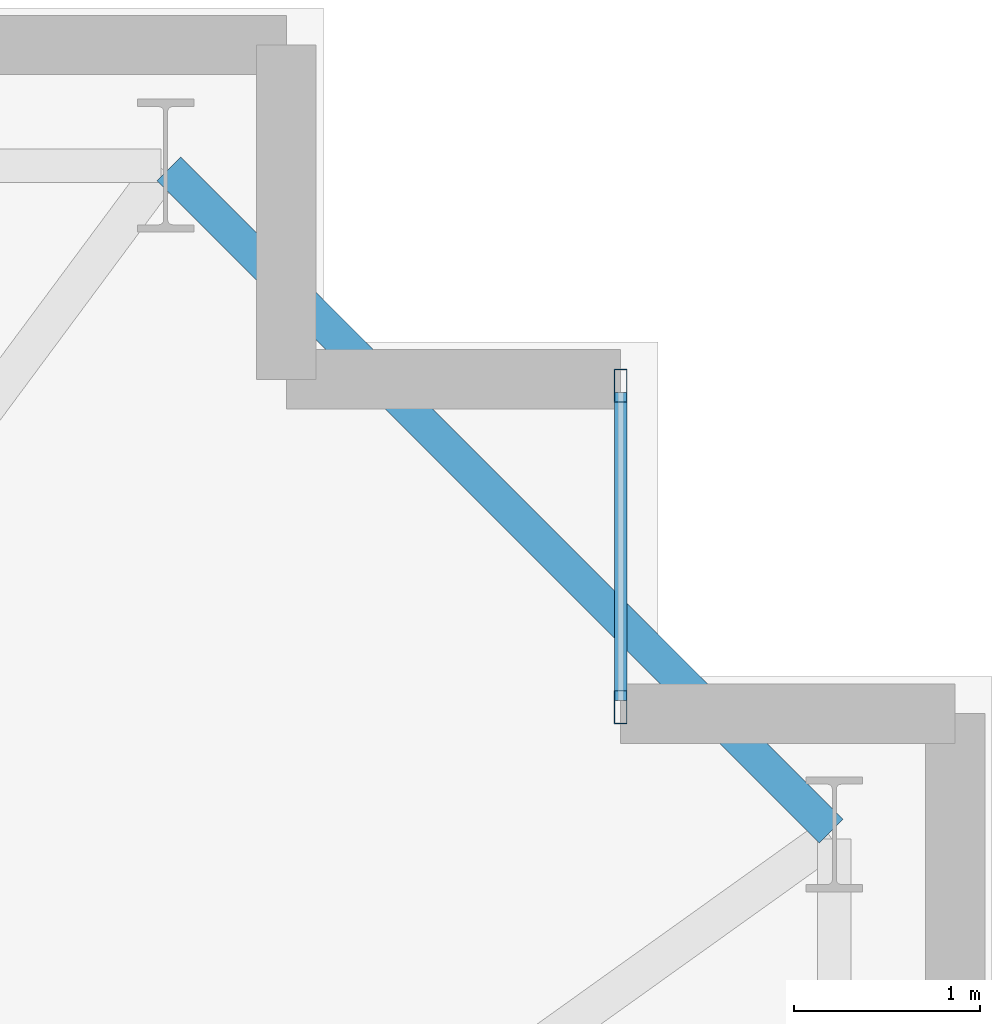
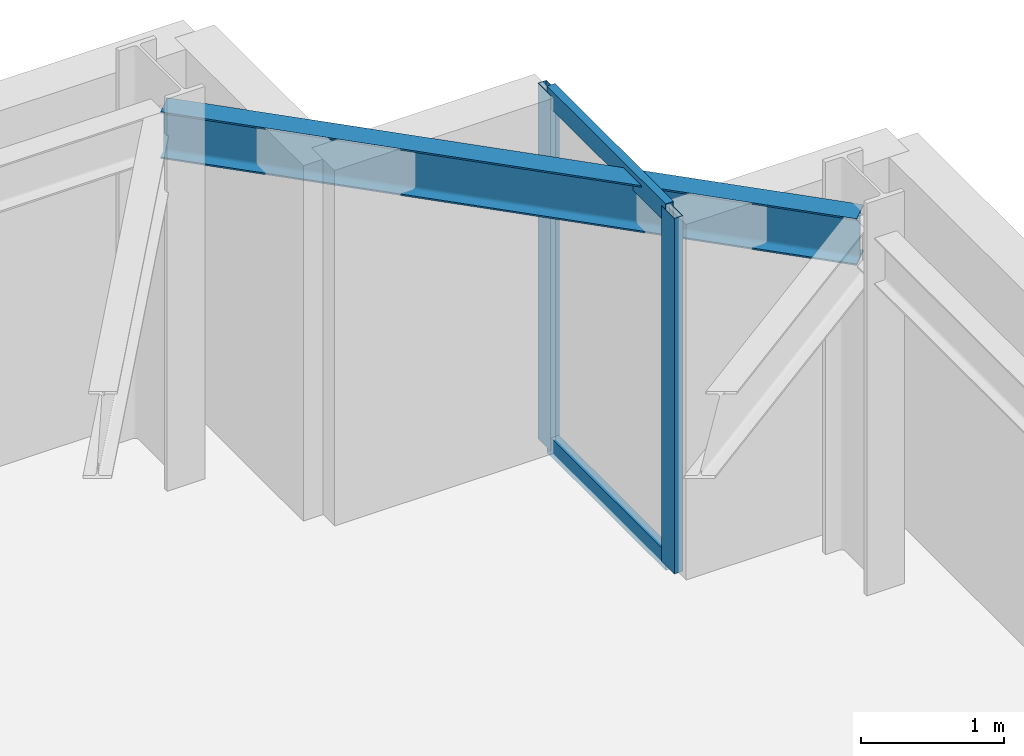
# One storey, part 12 of 22: 4 members, 1 beam, 1 element without a shape of its own.
"""IFC4 building model written with IfcOpenShell, lengths in metres."""

from ifc_helpers import new_model, si_unit, direction, frame, origin, origin_2d, place, context, subcontext, project, spatial, hollow_rectangle, i_section, extrude, material, layer, layer_set, material_profile, profile_set, type_object, element, aggregate, save


model = new_model("IFC4")

# Units and contexts
model_context = context("Model", 3, precision=1e-05, world=origin(), true_north=direction((0.0, 1.0)))
body_context = subcontext(model_context, "Body", "Model", "MODEL_VIEW")
ifc_project = project(units=[si_unit("LENGTHUNIT", "METRE"), si_unit("AREAUNIT", "SQUARE_METRE"), si_unit("VOLUMEUNIT", "CUBIC_METRE"), si_unit("PLANEANGLEUNIT", "RADIAN"), si_unit("MASSUNIT", "GRAM", prefix="KILO")], contexts=[model_context])

# Site, building, storey
site_placement = place(None, origin())
site = spatial("IfcSite", under=ifc_project, at=site_placement, CompositionType="ELEMENT")
building_placement = place(site_placement, origin())
building = spatial("IfcBuilding", under=site, at=building_placement, Name="Qobustan Lattice House", CompositionType="ELEMENT")
storey_placement = place(building_placement, frame((0.0, 0.0, 60.5)))
storey = spatial("IfcBuildingStorey", under=building, at=storey_placement, Name="L16", CompositionType="ELEMENT", Elevation=60.5)

# Beam
ifc_material_1 = material(Name="Steel S355", Category="steel")
ifc_material_profile_1 = material_profile(ifc_material_1, i_section(OverallWidth=0.179931640625, OverallDepth=0.39990234375, WebThickness=0.008544921875, FlangeThickness=0.013427734375, FilletRadius=0.02099609375, at=origin_2d()), Name="IPE400")
ifc_profile_set_1 = profile_set([ifc_material_profile_1], Name="Steel S355")
beam_type = type_object("IfcBeamType", Name="BM-SPD-IPE400", PredefinedType="SPANDREL", material=ifc_profile_set_1)
beam_placement = place(storey_placement, frame((32.13232421875, 15.167724609375, 2.8349609375), z_axis=(-0.707106781187, 0.707106781187, 0.0), x_axis=(-0.707106781187, -0.707106781187, 0.0)))
element("IfcBeam", 1, at=beam_placement, inside=storey, type_object=beam_type, Name="L16 perimeter spandrel E4-N1", PredefinedType="SPANDREL", context=body_context, shape_type="SweptSolid", body=[
    extrude(i_section(OverallWidth=0.179931640625, OverallDepth=0.39990234375, WebThickness=0.008544921875, FlangeThickness=0.013427734375, FilletRadius=0.02099609375, at=origin_2d()), origin(), (0.0, 0.0, 1.0), 5.041259765625),
])

# Curtain wall, members
ifc_material_2 = material(Name="Anodised aluminium and low-E glazing", Category="aluminium")
ifc_layer = layer(ifc_material_2, 0.219970703125)
ifc_layer_set = layer_set([ifc_layer], Name="Anodised aluminium and low-E glazing")
curtain_wall_type = type_object("IfcCurtainWallType", Name="CW-FAC-01", PredefinedType="USERDEFINED", material=ifc_layer_set)
curtain_wall_placement = place(storey_placement, origin())
curtain_wall = element("IfcCurtainWall", 2, at=curtain_wall_placement, inside=storey, type_object=curtain_wall_type, Name="L16 serrated corner faceted glazing 13", ObjectType="CURTAIN WALL", PredefinedType="USERDEFINED")
ifc_material_3 = material(Name="Anodised aluminium EN AW-6063 T6", Category="aluminium")
ifc_material_profile_2 = material_profile(ifc_material_3, hollow_rectangle(XDim=0.070068359375, YDim=0.179931640625, WallThickness=0.00439453125, at=origin_2d()), Name="CWM-180x70")
ifc_profile_set_2 = profile_set([ifc_material_profile_2], Name="Anodised aluminium EN AW-6063 T6")
member_type_1 = type_object("IfcMemberType", Name="CWM-STD-180", PredefinedType="MULLION", material=ifc_profile_set_2)
member_1_placement = place(storey_placement, frame((31.0, 17.56494140625, 0.0), z_axis=(0.0, 0.0, 1.0), x_axis=(1.0, 0.0, 0.0)))
member_1 = element("IfcMember", 3, at=member_1_placement, type_object=member_type_1, Name="CW-F1 mullion 1", PredefinedType="MULLION", context=body_context, shape_type="SweptSolid", body=[
    extrude(hollow_rectangle(XDim=0.070068359375, YDim=0.179931640625, WallThickness=0.00439453125, at=origin_2d()), origin(), (0.0, 0.0, 1.0), 3.034912109375),
])
member_2_placement = place(storey_placement, frame((31.0, 15.8349609375, 0.0), z_axis=(0.0, 0.0, 1.0), x_axis=(1.0, 0.0, 0.0)))
member_2 = element("IfcMember", 4, at=member_2_placement, type_object=member_type_1, Name="CW-F1 mullion 2", PredefinedType="MULLION", context=body_context, shape_type="SweptSolid", body=[
    extrude(hollow_rectangle(XDim=0.070068359375, YDim=0.179931640625, WallThickness=0.00439453125, at=origin_2d()), origin(), (0.0, 0.0, 1.0), 3.034912109375),
])
ifc_material_4 = material(Name="Anodised aluminium EN AW-6063 T6", Category="aluminium")
ifc_material_profile_3 = material_profile(ifc_material_4, hollow_rectangle(XDim=0.06494140625, YDim=0.159912109375, WallThickness=0.00390625, at=origin_2d()), Name="CWT-160x65")
ifc_profile_set_3 = profile_set([ifc_material_profile_3], Name="Anodised aluminium EN AW-6063 T6")
member_type_2 = type_object("IfcMemberType", Name="CWT-HOR-160", PredefinedType="USERDEFINED", material=ifc_profile_set_3)
member_3_placement = place(storey_placement, frame((31.0, 17.530029296875, 0.032470703125), z_axis=(0.0, -1.0, 0.0), x_axis=(1.0, 0.0, 0.0)))
member_3 = element("IfcMember", 5, at=member_3_placement, type_object=member_type_2, Name="CW-F1 transom 1.1", ObjectType="TRANSOM", PredefinedType="USERDEFINED", context=body_context, shape_type="SweptSolid", body=[
    extrude(hollow_rectangle(XDim=0.06494140625, YDim=0.159912109375, WallThickness=0.00390625, at=origin_2d()), origin(), (0.0, 0.0, 1.0), 1.659912109375),
])
member_4_placement = place(storey_placement, frame((31.0, 17.530029296875, 3.00244140625), z_axis=(0.0, -1.0, 0.0), x_axis=(1.0, 0.0, 0.0)))
member_4 = element("IfcMember", 6, at=member_4_placement, type_object=member_type_2, Name="CW-F1 transom 1.2", ObjectType="TRANSOM", PredefinedType="USERDEFINED", context=body_context, shape_type="SweptSolid", body=[
    extrude(hollow_rectangle(XDim=0.06494140625, YDim=0.159912109375, WallThickness=0.00390625, at=origin_2d()), origin(), (0.0, 0.0, 1.0), 1.659912109375),
])
aggregate(curtain_wall, [member_1, member_2, member_3, member_4])

save(model, "model.ifc")
